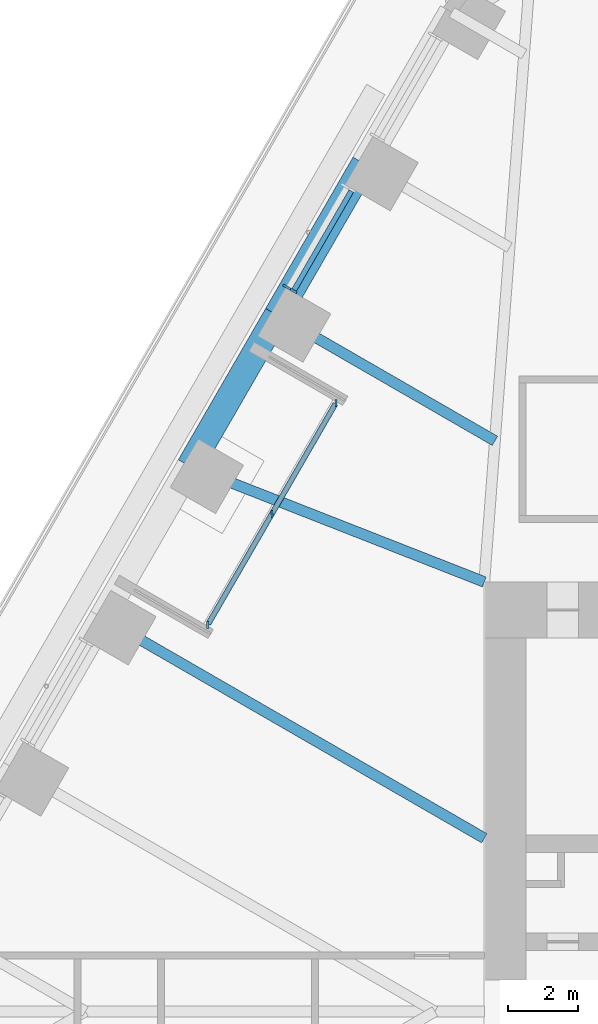
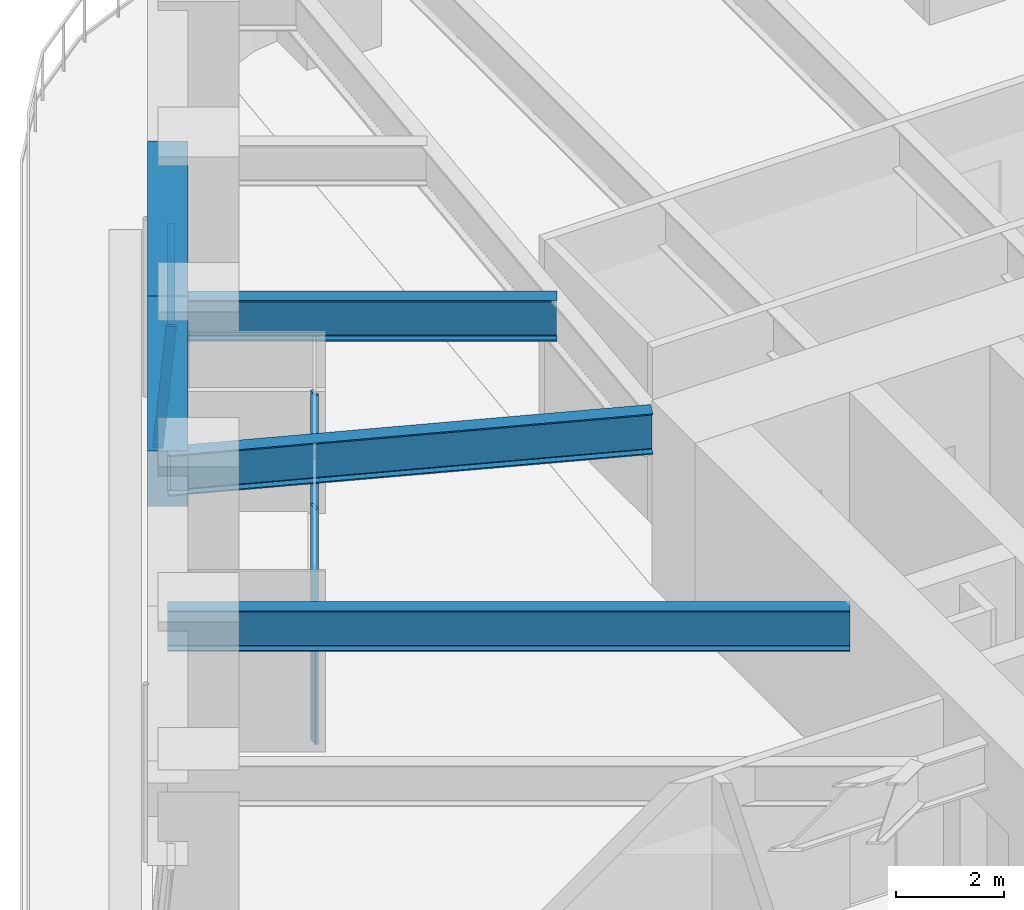
# One storey, part 8 of 24: 6 members, 5 beams, 2 elements without a shape of their own.
"""IFC4 building model written with IfcOpenShell, lengths in metres."""

from ifc_helpers import new_model, si_unit, direction, frame, origin, origin_2d, place, context, subcontext, project, spatial, rectangle, i_section, extrude, material, material_profile, profile_set, type_object, element, aggregate, save


model = new_model("IFC4")

# Units and contexts
model_context = context("Model", 3, precision=1e-05, world=origin(), true_north=direction((0.0, 1.0)))
body_context = subcontext(model_context, "Body", "Model", "MODEL_VIEW")
ifc_project = project(units=[si_unit("LENGTHUNIT", "METRE"), si_unit("AREAUNIT", "SQUARE_METRE"), si_unit("VOLUMEUNIT", "CUBIC_METRE"), si_unit("PLANEANGLEUNIT", "RADIAN"), si_unit("MASSUNIT", "GRAM", prefix="KILO")], contexts=[model_context])

# Site, building, storey
site_placement = place(None, origin())
site = spatial("IfcSite", under=ifc_project, at=site_placement, CompositionType="ELEMENT")
building_placement = place(site_placement, origin())
building = spatial("IfcBuilding", under=site, at=building_placement, Name="Tarfa Lantern Tower", CompositionType="ELEMENT")
storey_placement = place(building_placement, frame((0.0, 0.0, 157.300048828125)))
storey = spatial("IfcBuildingStorey", under=building, at=storey_placement, Name="L35", CompositionType="ELEMENT", Elevation=157.300048828125)

# Curtain wall, member
ifc_material_1 = material(Name="Aluminium framed curtain wall", Category="aluminium")
curtain_wall_type_1 = type_object("IfcCurtainWallType", Name="CW2 CANTED GLAZING MID ZONE 2750", PredefinedType="USERDEFINED", material=ifc_material_1)
curtain_wall_1_placement = place(storey_placement, origin())
curtain_wall_1 = element("IfcCurtainWall", 1, at=curtain_wall_1_placement, inside=storey, type_object=curtain_wall_type_1, Name="CW2 NW L35", ObjectType="CURTAIN WALL", PredefinedType="USERDEFINED")
ifc_material_2 = material(Name="Aluminium mullion", Category="aluminium")
ifc_material_profile_1 = material_profile(ifc_material_2, rectangle(XDim=0.06494140625, YDim=0.199951171875, at=origin_2d()), Name="AL MULLION 65x200")
ifc_profile_set_1 = profile_set([ifc_material_profile_1], Name="Aluminium mullion")
member_type_1 = type_object("IfcMemberType", Name="CWM1 MULLION 65x200", PredefinedType="MULLION", material=ifc_profile_set_1)
member_1_placement = place(storey_placement, frame((-24.275146484375, 20.75439453125, 0.0), z_axis=(0.078422950161, -0.045267813396, 0.995891894715), x_axis=(0.499919672301, 0.866071776036, 0.0)))
member_1 = element("IfcMember", 2, at=member_1_placement, type_object=member_type_1, Name="CW2 mullion 2", PredefinedType="MULLION", context=body_context, shape_type="SweptSolid", body=[
    extrude(rectangle(XDim=0.06494140625, YDim=0.199951171875, at=origin_2d()), origin(), (0.0, 0.0, 1.0), 2.76123046875),
])

# Curtain wall, members
curtain_wall_type_2 = type_object("IfcCurtainWallType", Name="CW10 LOGGIA GLAZING 2750", PredefinedType="USERDEFINED", material=ifc_material_1)
curtain_wall_2_placement = place(storey_placement, origin())
curtain_wall_2 = element("IfcCurtainWall", 3, at=curtain_wall_2_placement, inside=storey, type_object=curtain_wall_type_2, Name="CW10 NWL L35", ObjectType="CURTAIN WALL", PredefinedType="USERDEFINED")
member_2_placement = place(storey_placement, frame((-22.84619140625, 17.429443359375, 0.0), z_axis=(0.0, 0.0, 1.0), x_axis=(1.0, 0.0, 0.0)))
member_2 = element("IfcMember", 4, at=member_2_placement, type_object=member_type_1, Name="CW10 mullion 1", PredefinedType="MULLION", context=body_context, shape_type="SweptSolid", body=[
    extrude(rectangle(XDim=0.06494140625, YDim=0.199951171875, at=origin_2d()), origin(), (0.0, 0.0, 1.0), 2.75),
])
member_3_placement = place(storey_placement, frame((-24.681640625, 14.25, 0.0), z_axis=(0.0, 0.0, 1.0), x_axis=(1.0, 0.0, 0.0)))
member_3 = element("IfcMember", 5, at=member_3_placement, type_object=member_type_1, Name="CW10 mullion 2", PredefinedType="MULLION", context=body_context, shape_type="SweptSolid", body=[
    extrude(rectangle(XDim=0.06494140625, YDim=0.199951171875, at=origin_2d()), origin(), (0.0, 0.0, 1.0), 2.75),
])
member_4_placement = place(storey_placement, frame((-26.517333984375, 11.070556640625, 0.0), z_axis=(0.0, 0.0, 1.0), x_axis=(1.0, 0.0, 0.0)))
member_4 = element("IfcMember", 6, at=member_4_placement, type_object=member_type_1, Name="CW10 mullion 3", PredefinedType="MULLION", context=body_context, shape_type="SweptSolid", body=[
    extrude(rectangle(XDim=0.06494140625, YDim=0.199951171875, at=origin_2d()), origin(), (0.0, 0.0, 1.0), 2.75),
])

# Member
ifc_material_3 = material(Name="Aluminium transom", Category="aluminium")
ifc_material_profile_2 = material_profile(ifc_material_3, rectangle(XDim=0.14990234375, YDim=0.06494140625, at=origin_2d()), Name="AL TRANSOM 150x65")
ifc_profile_set_2 = profile_set([ifc_material_profile_2], Name="Aluminium transom")
member_type_2 = type_object("IfcMemberType", Name="CWT1 TRANSOM 150x65", PredefinedType="USERDEFINED", material=ifc_profile_set_2)
member_5_placement = place(storey_placement, frame((-22.407958984375, 23.494140625, 2.717529296875), z_axis=(-0.500012937857, -0.86601793398, 0.0), x_axis=(0.86601793398, -0.500012937857, 0.0)))
member_5 = element("IfcMember", 7, at=member_5_placement, type_object=member_type_2, Name="CW2 transom 1.2", ObjectType="TRANSOM", PredefinedType="USERDEFINED", context=body_context, shape_type="SweptSolid", body=[
    extrude(rectangle(XDim=0.14990234375, YDim=0.06494140625, at=origin_2d()), origin(), (0.0, 0.0, 1.0), 3.27392578125),
])

aggregate(curtain_wall_1, [member_1, member_5])

member_6_placement = place(storey_placement, frame((-22.8623046875, 17.401123046875, 2.717529296875), z_axis=(-0.500007048974, -0.866021334019, 0.0), x_axis=(0.866021334019, -0.500007048974, 0.0)))
member_6 = element("IfcMember", 8, at=member_6_placement, type_object=member_type_2, Name="CW10 transom 1.2", ObjectType="TRANSOM", PredefinedType="USERDEFINED", context=body_context, shape_type="SweptSolid", body=[
    extrude(rectangle(XDim=0.14990234375, YDim=0.06494140625, at=origin_2d()), origin(), (0.0, 0.0, 1.0), 7.27734375),
])

aggregate(curtain_wall_2, [member_2, member_3, member_4, member_6])

# Beams
ifc_material_4 = material(Name="Concrete C80/95", Category="concrete")
ifc_material_profile_3 = material_profile(ifc_material_4, rectangle(XDim=0.75, YDim=1.25, at=origin_2d()), Name="RC 750x1250")
ifc_profile_set_3 = profile_set([ifc_material_profile_3], Name="Concrete C80/95")
beam_type_1 = type_object("IfcBeamType", Name="EB2 RC 750x1250", PredefinedType="SPANDREL", material=ifc_profile_set_3)
for number, where, z_axis, x_axis, name in (
    (9, (-22.03369140625, 24.276611328125, 3.375), (-0.49998573051, -0.866033642122, 0.0), (0.866033642122, -0.49998573051, 0.0), "Edge beam NW1"),
    (10, (-24.535400390625, 19.943359375, 3.375), (-0.500022324899, -0.866012514114, 0.0), (0.866012514114, -0.500022324899, 0.0), "Edge beam NW2"),
):
    element("IfcBeam", number, at=place(storey_placement, frame(where, z_axis=z_axis, x_axis=x_axis)), inside=storey, type_object=beam_type_1, Name=name, PredefinedType="SPANDREL", context=body_context, shape_type="SweptSolid", body=[
        extrude(rectangle(XDim=0.75, YDim=1.25, at=origin_2d()), origin(), (0.0, 0.0, 1.0), 5.003662109375),
    ])
ifc_material_5 = material(Name="Steel S460M", Category="steel")
ifc_material_profile_4 = material_profile(ifc_material_5, i_section(OverallWidth=0.305419921875, OverallDepth=0.91845703125, WebThickness=0.017333984375, FlangeThickness=0.02783203125, FilletRadius=0.01904296875, at=origin_2d()), Name="UB914x305x253")
ifc_profile_set_4 = profile_set([ifc_material_profile_4], Name="Steel S460M")
beam_type_2 = type_object("IfcBeamType", Name="UB914x305x253", PredefinedType="BEAM", material=ifc_profile_set_4)
beam_1_placement = place(storey_placement, frame((-24.535400390625, 19.943359375, 3.540771484375), z_axis=(0.86602647304, -0.499998147991, 0.0), x_axis=(0.499998147991, 0.86602647304, 0.0)))
element("IfcBeam", 11, at=beam_1_placement, inside=storey, type_object=beam_type_2, Name="Floor beam NW2", PredefinedType="BEAM", context=body_context, shape_type="SweptSolid", body=[
    extrude(i_section(OverallWidth=0.305419921875, OverallDepth=0.91845703125, WebThickness=0.017333984375, FlangeThickness=0.02783203125, FilletRadius=0.01904296875, at=origin_2d()), origin(), (0.0, 0.0, 1.0), 7.20556640625),
])
beam_2_placement = place(storey_placement, frame((-27.037353515625, 15.610107421875, 3.540771484375), z_axis=(0.930923282782, -0.365214788274, 0.0), x_axis=(0.365214788274, 0.930923282782, 0.0)))
element("IfcBeam", 12, at=beam_2_placement, inside=storey, type_object=beam_type_2, Name="Floor beam NW3", PredefinedType="BEAM", context=body_context, shape_type="SweptSolid", body=[
    extrude(i_section(OverallWidth=0.305419921875, OverallDepth=0.91845703125, WebThickness=0.017333984375, FlangeThickness=0.02783203125, FilletRadius=0.01904296875, at=origin_2d()), origin(), (0.0, 0.0, 1.0), 9.063232421875),
])
beam_3_placement = place(storey_placement, frame((-29.5390625, 11.276611328125, 3.540771484375), z_axis=(0.866023362995, -0.500003534735, 0.0), x_axis=(0.500003534735, 0.866023362995, 0.0)))
element("IfcBeam", 13, at=beam_3_placement, inside=storey, type_object=beam_type_2, Name="Floor beam NW4", PredefinedType="BEAM", context=body_context, shape_type="SweptSolid", body=[
    extrude(i_section(OverallWidth=0.305419921875, OverallDepth=0.91845703125, WebThickness=0.017333984375, FlangeThickness=0.02783203125, FilletRadius=0.01904296875, at=origin_2d()), origin(), (0.0, 0.0, 1.0), 12.63134765625),
])

save(model, "model.ifc")
